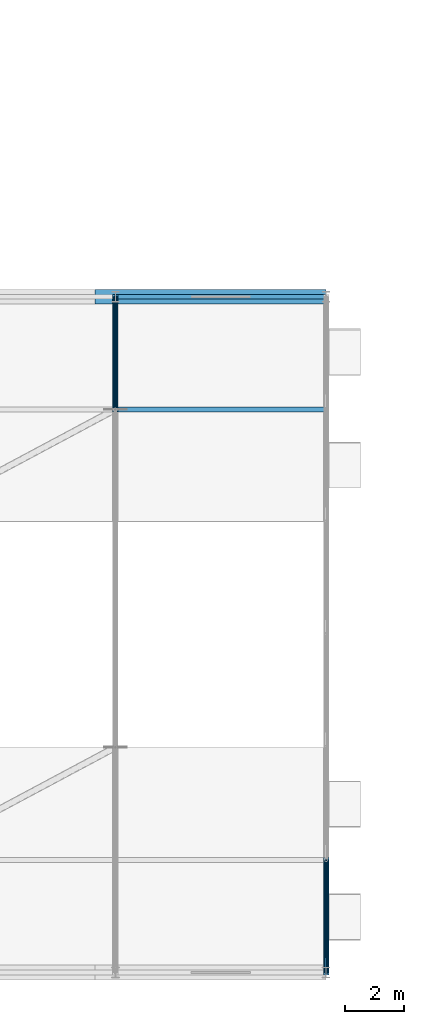
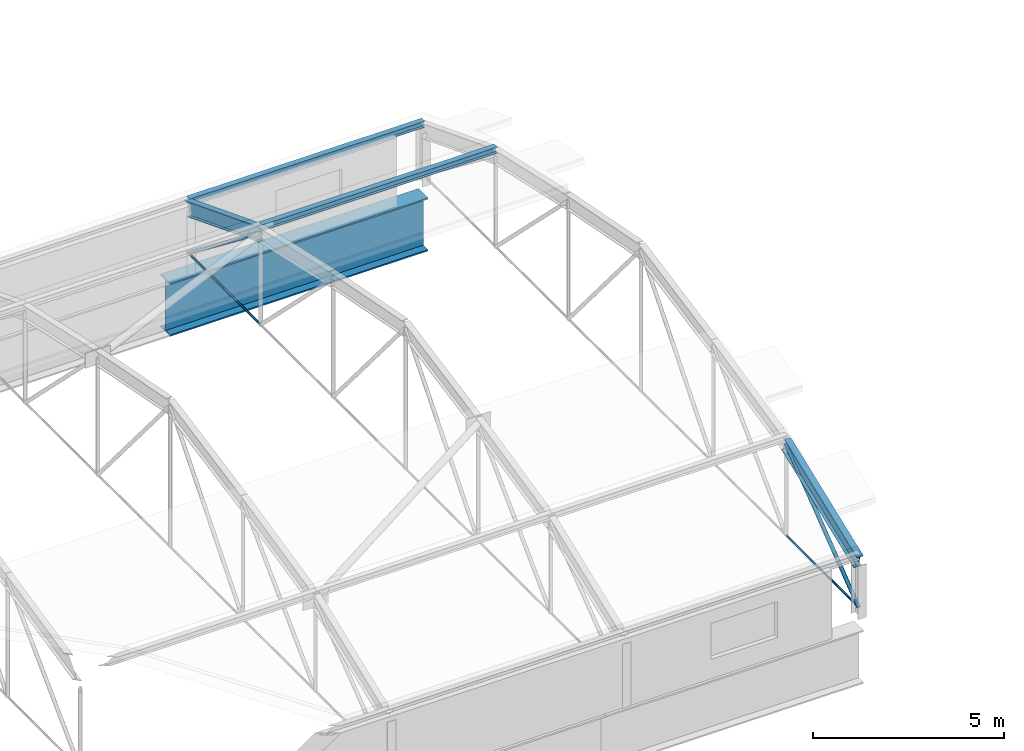
# One storey, part 20 of 53: 6 members, 3 beams.
"""IFC4 building model written with IfcOpenShell, lengths in metres."""

from ifc_helpers import new_model, si_unit, direction, frame, origin_with_axes, origin_2d_with_axis, place, context, subcontext, project, spatial, circle, hollow_circle, i_section, extrude, material, material_profile, profile_set, type_object, element, save


model = new_model("IFC4")

# Units and contexts
model_context = context("Model", 3, precision=1e-05, world=origin_with_axes(), true_north=direction((0.0, 1.0)))
body_context = subcontext(model_context, "Body", "Model", "MODEL_VIEW")
ifc_project = project(units=[si_unit("LENGTHUNIT", "METRE"), si_unit("AREAUNIT", "SQUARE_METRE"), si_unit("VOLUMEUNIT", "CUBIC_METRE"), si_unit("PLANEANGLEUNIT", "RADIAN"), si_unit("MASSUNIT", "GRAM", prefix="KILO"), si_unit("THERMODYNAMICTEMPERATUREUNIT", "KELVIN")], contexts=[model_context])

# Site, building, storey
site_placement = place(None, origin_with_axes())
site = spatial("IfcSite", under=ifc_project, at=site_placement, CompositionType="ELEMENT")
building_placement = place(site_placement, origin_with_axes())
building = spatial("IfcBuilding", under=site, at=building_placement, Name="Montbau Bow Law Courts", CompositionType="ELEMENT")
storey_placement = place(building_placement, frame((0.0, 0.0, 39.0), z_axis=(0.0, 0.0, 1.0), x_axis=(1.0, 0.0, 0.0)))
storey = spatial("IfcBuildingStorey", under=building, at=storey_placement, Name="L08", CompositionType="ELEMENT", Elevation=39.0)

# Beams
ifc_material = material(Name="Steel CSA G40.21 Grade 350WT (350 MPa)", Category="steel")
ifc_material_profile_1 = material_profile(ifc_material, i_section(OverallWidth=0.191, OverallDepth=0.46, WebThickness=0.0099, FlangeThickness=0.016, at=origin_2d_with_axis()), Name="W460X82", Category="Main", Priority=0)
ifc_profile_set_1 = profile_set([ifc_material_profile_1], Name="Steel CSA G40.21 Grade 350WT (350 MPa)")
beam_type_1 = type_object("IfcBeamType", Name="B-ARC-02", PredefinedType="USERDEFINED", material=ifc_profile_set_1)
for number, where, z_axis, x_axis, name in (
    (1, (97.886, 58.0, 42.178), (0.0, 0.931986259, -0.362493603), (-1.0, 0.0, 0.0), "Barrel vault roof truss arch rib V3-138"),
    (2, (105.0, 39.0, 40.7), (0.0, 0.931986259, 0.362493603), (-1.0, 0.0, 0.0), "Barrel vault roof truss arch rib V3-139"),
):
    element("IfcBeam", number, at=place(None, frame(where, z_axis=z_axis, x_axis=x_axis)), inside=storey, type_object=beam_type_1, Name=name, ObjectType="ARCH_RIB", PredefinedType="USERDEFINED", context=body_context, shape_type="SweptSolid", body=[
        extrude(i_section(OverallWidth=0.191, OverallDepth=0.46, WebThickness=0.0099, FlangeThickness=0.016, at=origin_2d_with_axis()), origin_with_axes(), (0.0, 0.0, 1.0), 4.077313),
    ])
ifc_material_profile_2 = material_profile(ifc_material, i_section(OverallWidth=0.5, OverallDepth=1.7, WebThickness=0.02, FlangeThickness=0.045, at=origin_2d_with_axis()), Name="WWF1700X480", Category="Main", Priority=0)
ifc_profile_set_2 = profile_set([ifc_material_profile_2], Name="Steel CSA G40.21 Grade 350WT (350 MPa)")
beam_type_2 = type_object("IfcBeamType", Name="B-TRG-02", PredefinedType="USERDEFINED", material=ifc_profile_set_2)
beam_placement = place(None, frame((97.2, 61.8, 37.81), z_axis=(1.0, 0.0, 0.0), x_axis=(0.0, 1.0, 0.0)))
element("IfcBeam", 3, at=beam_placement, inside=storey, type_object=beam_type_2, Name="VRG-L08-S0030:bm2_0033", ObjectType="GIRDER", PredefinedType="USERDEFINED", context=body_context, shape_type="SweptSolid", body=[
    extrude(i_section(OverallWidth=0.5, OverallDepth=1.7, WebThickness=0.02, FlangeThickness=0.045, at=origin_2d_with_axis()), origin_with_axes(), (0.0, 0.0, 1.0), 7.8),
])

# Members
ifc_material_profile_3 = material_profile(ifc_material, i_section(OverallWidth=0.165, OverallDepth=0.201, WebThickness=0.0062, FlangeThickness=0.0102, at=origin_2d_with_axis()), Name="W200X36", Category="Main", Priority=0)
ifc_profile_set_3 = profile_set([ifc_material_profile_3], Name="Steel CSA G40.21 Grade 350WT (350 MPa)")
member_type_1 = type_object("IfcMemberType", Name="M-PUR-02", PredefinedType="PURLIN", material=ifc_profile_set_3)
for number, where, z_axis, x_axis, name in (
    (4, (97.886, 58.0, 42.388), (1.0, 0.0, 0.0), (0.0, 1.0, 0.0), "Barrel vault roof truss purlin V3-146"),
    (5, (97.886, 61.8, 40.91), (1.0, 0.0, 0.0), (0.0, 1.0, 0.0), "Barrel vault roof truss purlin V3-147"),
):
    element("IfcMember", number, at=place(None, frame(where, z_axis=z_axis, x_axis=x_axis)), inside=storey, type_object=member_type_1, Name=name, PredefinedType="PURLIN", context=body_context, shape_type="SweptSolid", body=[
        extrude(i_section(OverallWidth=0.165, OverallDepth=0.201, WebThickness=0.0062, FlangeThickness=0.0102, at=origin_2d_with_axis()), origin_with_axes(), (0.0, 0.0, 1.0), 7.114),
    ])
ifc_material_profile_4 = material_profile(ifc_material, hollow_circle(Radius=0.057, WallThickness=0.008, at=origin_2d_with_axis()), Name="HSS114X8.0", Category="Main", Priority=0)
ifc_profile_set_4 = profile_set([ifc_material_profile_4], Name="Steel CSA G40.21 Grade 350WT (350 MPa)")
member_type_2 = type_object("IfcMemberType", Name="M-STR-03", PredefinedType="STRUT", material=ifc_profile_set_4)
for number, where, z_axis, x_axis, name in (
    (6, (97.886, 58.0, 42.178), (0.0, 0.792127775, -0.610355296), (-1.0, 0.0, 0.0), "Barrel vault roof truss web diagonal V3-07-6"),
    (7, (105.0, 39.0, 39.25), (0.0, 0.792127775, 0.610355296), (-1.0, 0.0, 0.0), "Barrel vault roof truss web diagonal V3-08-1"),
):
    element("IfcMember", number, at=place(None, frame(where, z_axis=z_axis, x_axis=x_axis)), inside=storey, type_object=member_type_2, Name=name, PredefinedType="STRUT", context=body_context, shape_type="SweptSolid", body=[
        extrude(hollow_circle(Radius=0.057, WallThickness=0.008, at=origin_2d_with_axis()), origin_with_axes(), (0.0, 0.0, 1.0), 4.797206),
    ])
ifc_material_profile_5 = material_profile(ifc_material, circle(Radius=0.032, at=origin_2d_with_axis()), Name="ROD64", Category="Main", Priority=0)
ifc_profile_set_5 = profile_set([ifc_material_profile_5], Name="Steel CSA G40.21 Grade 350WT (350 MPa)")
member_type_3 = type_object("IfcMemberType", Name="M-TIE-02", PredefinedType="USERDEFINED", material=ifc_profile_set_5)
for number, where, z_axis, x_axis, name in (
    (8, (97.886, 58.0, 39.25), (0.0, 1.0, 0.0), (-1.0, 0.0, 0.0), "Barrel vault roof truss tie V3-138"),
    (9, (105.0, 39.0, 39.25), (0.0, 1.0, 0.0), (-1.0, 0.0, 0.0), "Barrel vault roof truss tie V3-139"),
):
    element("IfcMember", number, at=place(None, frame(where, z_axis=z_axis, x_axis=x_axis)), inside=storey, type_object=member_type_3, Name=name, ObjectType="TIEBAR", PredefinedType="USERDEFINED", context=body_context, shape_type="SweptSolid", body=[
        extrude(circle(Radius=0.032, at=origin_2d_with_axis()), origin_with_axes(), (0.0, 0.0, 1.0), 3.8),
    ])

save(model, "model.ifc")
